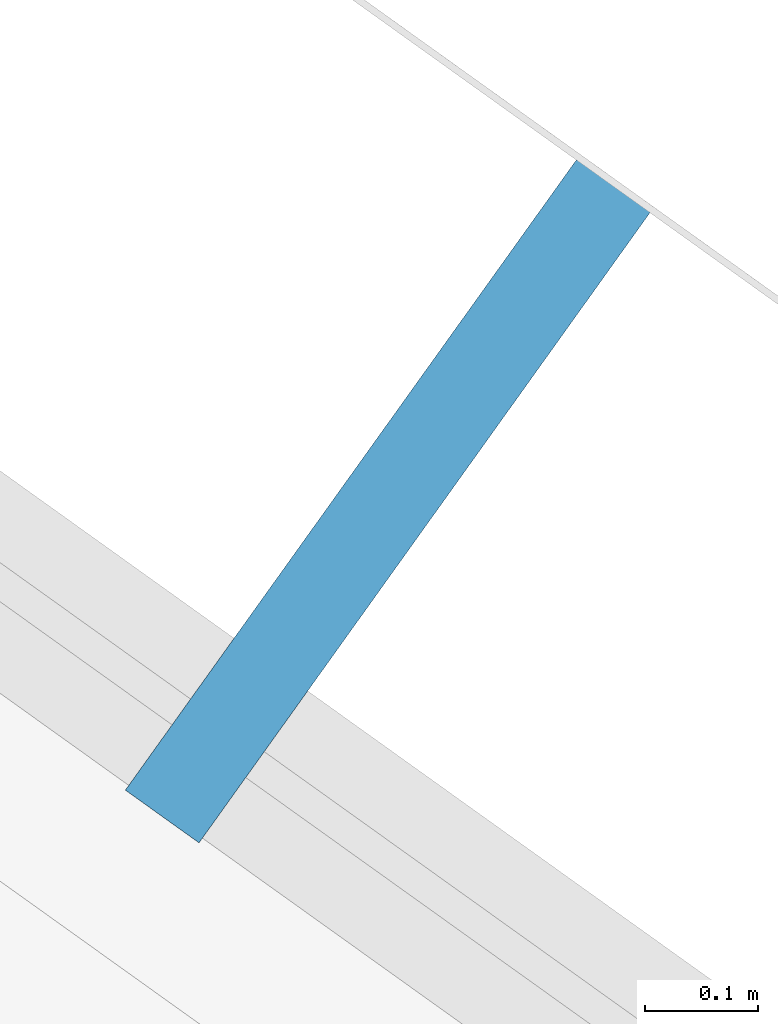
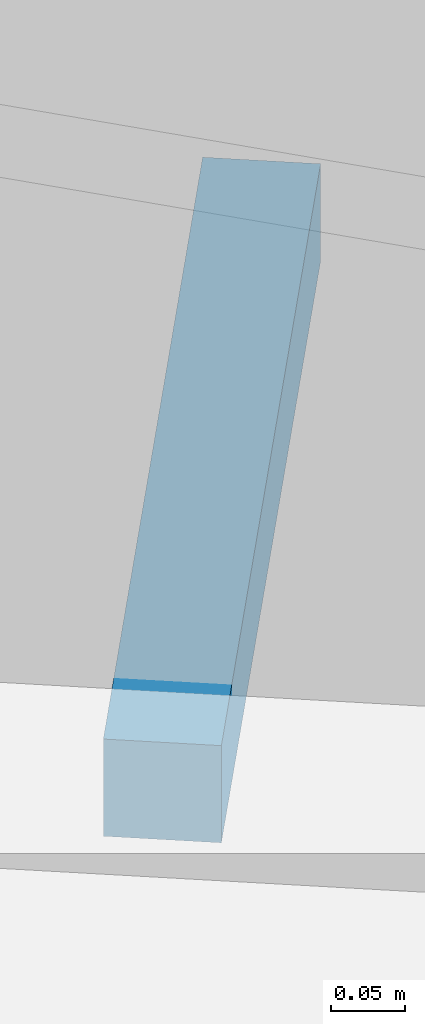
# One storey, part 15 of 18: 1 discrete accessory.
"""IFC4 building model written with IfcOpenShell, lengths in metres."""

from ifc_helpers import new_model, si_unit, direction, frame, origin, origin_2d, place, context, subcontext, project, spatial, rectangle, extrude, element, save


model = new_model("IFC4")

# Units and contexts
model_context = context("Model", 3, precision=1e-05, world=origin(), true_north=direction((0.0, 1.0)))
body_context = subcontext(model_context, "Body", "Model", "MODEL_VIEW")
ifc_project = project(units=[si_unit("LENGTHUNIT", "METRE"), si_unit("AREAUNIT", "SQUARE_METRE"), si_unit("VOLUMEUNIT", "CUBIC_METRE"), si_unit("PLANEANGLEUNIT", "RADIAN"), si_unit("MASSUNIT", "GRAM", prefix="KILO")], contexts=[model_context])

# Site, building, storey
site_placement = place(None, origin())
site = spatial("IfcSite", under=ifc_project, at=site_placement, CompositionType="ELEMENT")
building_placement = place(site_placement, origin())
building = spatial("IfcBuilding", under=site, at=building_placement, Name="Lantaw Convention Tower", CompositionType="ELEMENT")
storey_placement = place(building_placement, frame((0.0, 0.0, 172.0)))
storey = spatial("IfcBuildingStorey", under=building, at=storey_placement, Name="L40", CompositionType="ELEMENT", Elevation=172.0)

# Discrete accessory
discrete_accessory_placement = place(storey_placement, frame((22.044189453125, 14.10546875, -0.114990234375), z_axis=(0.0, 0.0, 1.0), x_axis=(-0.813208325995, 0.581972695693, 0.0)))
element("IfcDiscreteAccessory", 1, at=discrete_accessory_placement, inside=storey, Name="Screen bracket", PredefinedType="BRACKET", context=body_context, shape_type="SweptSolid", body=[
    extrude(rectangle(XDim=0.080078125, YDim=0.68798828125, at=origin_2d()), origin(), (0.0, 0.0, 1.0), 0.080078125),
])

save(model, "model.ifc")
